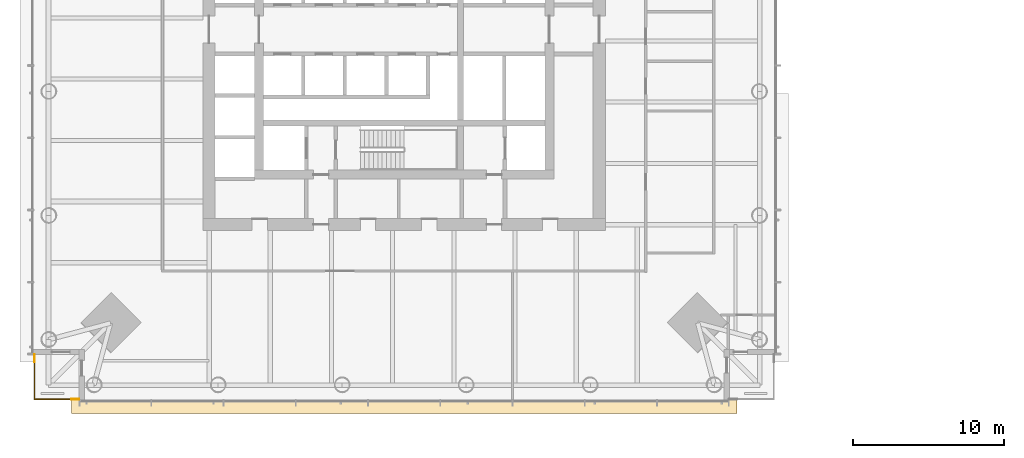
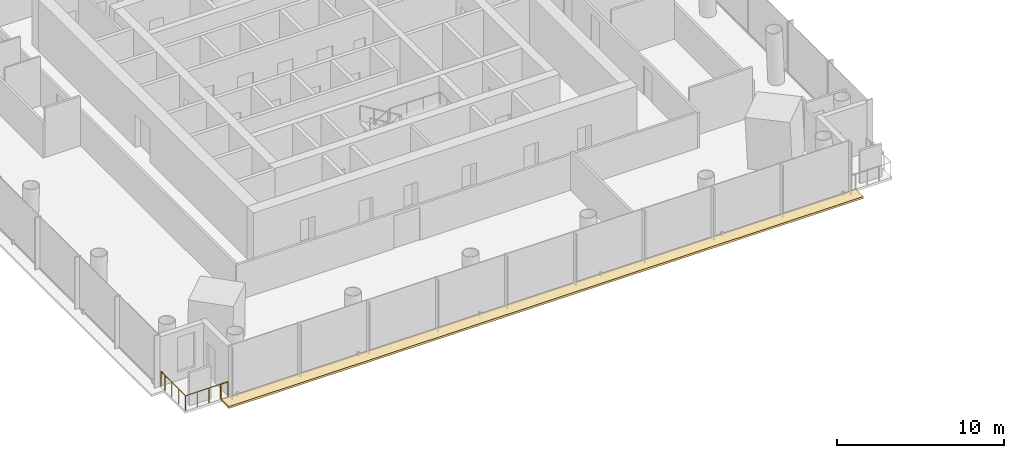
# One storey, part 22 of 26: 3 railings, 1 covering.
"""IFC4 building model written with IfcOpenShell, lengths in metres."""

from ifc_helpers import new_model, si_unit, direction, frame, origin, origin_2d, place, context, subcontext, project, spatial, polyline, circle, outline, extrude, material, layer, layer_set, type_object, element, save


model = new_model("IFC4")

# Units and contexts
model_context = context("Model", 3, precision=1e-05, world=origin(), true_north=direction((0.0, 1.0)))
body_context = subcontext(model_context, "Body", "Model", "MODEL_VIEW")
ifc_project = project(units=[si_unit("LENGTHUNIT", "METRE"), si_unit("AREAUNIT", "SQUARE_METRE"), si_unit("VOLUMEUNIT", "CUBIC_METRE"), si_unit("PLANEANGLEUNIT", "RADIAN"), si_unit("MASSUNIT", "GRAM", prefix="KILO")], contexts=[model_context])

# Site, building, storey
site_placement = place(None, origin())
site = spatial("IfcSite", under=ifc_project, at=site_placement, CompositionType="ELEMENT")
building_placement = place(site_placement, origin())
building = spatial("IfcBuilding", under=site, at=building_placement, Name="Ostroluk Exchange", CompositionType="ELEMENT")
storey_placement = place(building_placement, frame((0.0, 0.0, 36.199951171875)))
storey = spatial("IfcBuildingStorey", under=building, at=storey_placement, Name="L08", CompositionType="ELEMENT", Elevation=36.199951171875)

# Railings
ifc_material_1 = material(Name="Stainless steel", Category="steel")
railing_type_1 = type_object("IfcRailingType", Name="Guard 1100 stainless steel", PredefinedType="GUARDRAIL", material=ifc_material_1)
railing_1_placement = place(storey_placement, frame((23.0, 21.550048828125, 0.0)))
element("IfcRailing", 1, at=railing_1_placement, inside=storey, type_object=railing_type_1, Name="Office tower SW balcony guard L08", PredefinedType="GUARDRAIL", context=body_context, shape_type="SweptSolid", body=[
    extrude(circle(Radius=0.02392578125, at=origin_2d()), frame((0.0, 0.0, 1.076171875), z_axis=(-1.0, 0.0, 0.0), x_axis=(0.0, -1.0, 0.0)), (0.0, 0.0, 1.0), 2.449951171875),
    extrude(circle(Radius=0.02392578125, at=origin_2d()), frame((-2.449951171875, 0.0, 1.076171875), z_axis=(0.0, 1.0, 0.0), x_axis=(-1.0, 0.0, 0.0)), (0.0, 0.0, 1.0), 2.449951171875),
    extrude(circle(Radius=0.02099609375, at=origin_2d()), origin(), (0.0, 0.0, 1.0), 1.052001953125),
    extrude(circle(Radius=0.02099609375, at=origin_2d()), frame((-0.816650390625, 0.0, 0.0)), (0.0, 0.0, 1.0), 1.052001953125),
    extrude(circle(Radius=0.02099609375, at=origin_2d()), frame((-1.63330078125, 0.0, 0.0)), (0.0, 0.0, 1.0), 1.052001953125),
    extrude(circle(Radius=0.02099609375, at=origin_2d()), frame((-2.449951171875, 0.0, 0.0)), (0.0, 0.0, 1.0), 1.052001953125),
    extrude(circle(Radius=0.02099609375, at=origin_2d()), frame((-2.449951171875, 0.816650390625, 0.0)), (0.0, 0.0, 1.0), 1.052001953125),
    extrude(circle(Radius=0.02099609375, at=origin_2d()), frame((-2.449951171875, 1.63330078125, 0.0)), (0.0, 0.0, 1.0), 1.052001953125),
    extrude(circle(Radius=0.02099609375, at=origin_2d()), frame((-2.449951171875, 2.449951171875, 0.0)), (0.0, 0.0, 1.0), 1.052001953125),
])
ifc_material_2 = material(Name="Stainless steel", Category="steel")
railing_type_2 = type_object("IfcRailingType", Name="Lockable maintenance gate 1100", PredefinedType="GUARDRAIL", material=ifc_material_2)
railing_2_placement = place(storey_placement, frame((23.5, 21.550048828125, 0.0)))
element("IfcRailing", 2, at=railing_2_placement, inside=storey, type_object=railing_type_2, Name="Lockable maintenance gate T1 L08 SW", PredefinedType="GUARDRAIL", context=body_context, shape_type="SweptSolid", body=[
    extrude(circle(Radius=0.02392578125, at=origin_2d()), frame((0.0, 0.0, 1.076171875), z_axis=(-1.0, 0.0, 0.0), x_axis=(0.0, -1.0, 0.0)), (0.0, 0.0, 1.0), 0.5),
    extrude(circle(Radius=0.02099609375, at=origin_2d()), origin(), (0.0, 0.0, 1.0), 1.052001953125),
    extrude(circle(Radius=0.02099609375, at=origin_2d()), frame((-0.5, 0.0, 0.0)), (0.0, 0.0, 1.0), 1.052001953125),
])
railing_3_placement = place(storey_placement, frame((20.550048828125, 24.0, 0.0)))
element("IfcRailing", 3, at=railing_3_placement, inside=storey, type_object=railing_type_2, Name="Lockable maintenance gate T1 L08 SW", PredefinedType="GUARDRAIL", context=body_context, shape_type="SweptSolid", body=[
    extrude(circle(Radius=0.02392578125, at=origin_2d()), frame((0.0, 0.0, 1.076171875), z_axis=(0.0, 1.0, 0.0), x_axis=(-1.0, 0.0, 0.0)), (0.0, 0.0, 1.0), 0.5),
    extrude(circle(Radius=0.02099609375, at=origin_2d()), origin(), (0.0, 0.0, 1.0), 1.052001953125),
    extrude(circle(Radius=0.02099609375, at=origin_2d()), frame((0.0, 0.5, 0.0)), (0.0, 0.0, 1.0), 1.052001953125),
])

# Covering
ifc_material_3 = material(Name="Insulated steel roof deck with membrane, laid to falls, aluminium coping", Category="steel")
ifc_layer = layer(ifc_material_3, 0.14990234375)
ifc_layer_set = layer_set([ifc_layer], Name="Setback maintenance roof")
covering_type = type_object("IfcCoveringType", Name="Setback maintenance roof", PredefinedType="ROOFING", material=ifc_layer_set)
covering_placement = place(storey_placement, frame((0.0, 0.0, -0.14990234375)))
element("IfcCovering", 4, at=covering_placement, inside=storey, type_object=covering_type, Name="Maintenance roof, setback L08 south", PredefinedType="ROOFING", context=body_context, shape_type="SweptSolid", body=[
    extrude(outline(polyline([(23.0, 21.5), (67.0, 21.5), (67.0, 20.60009765625), (23.0, 20.60009765625), (23.0, 21.5)])), origin(), (0.0, 0.0, 1.0), 0.14990234375),
])

save(model, "model.ifc")
